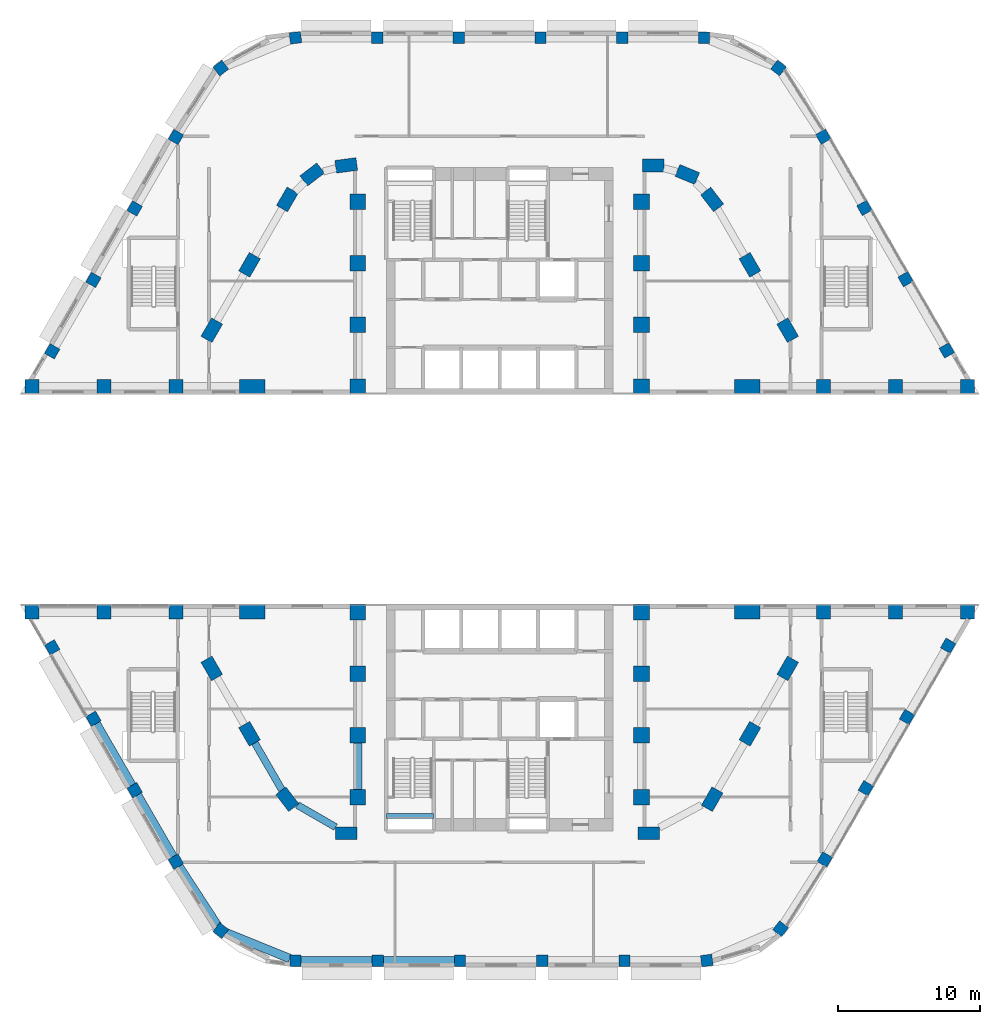
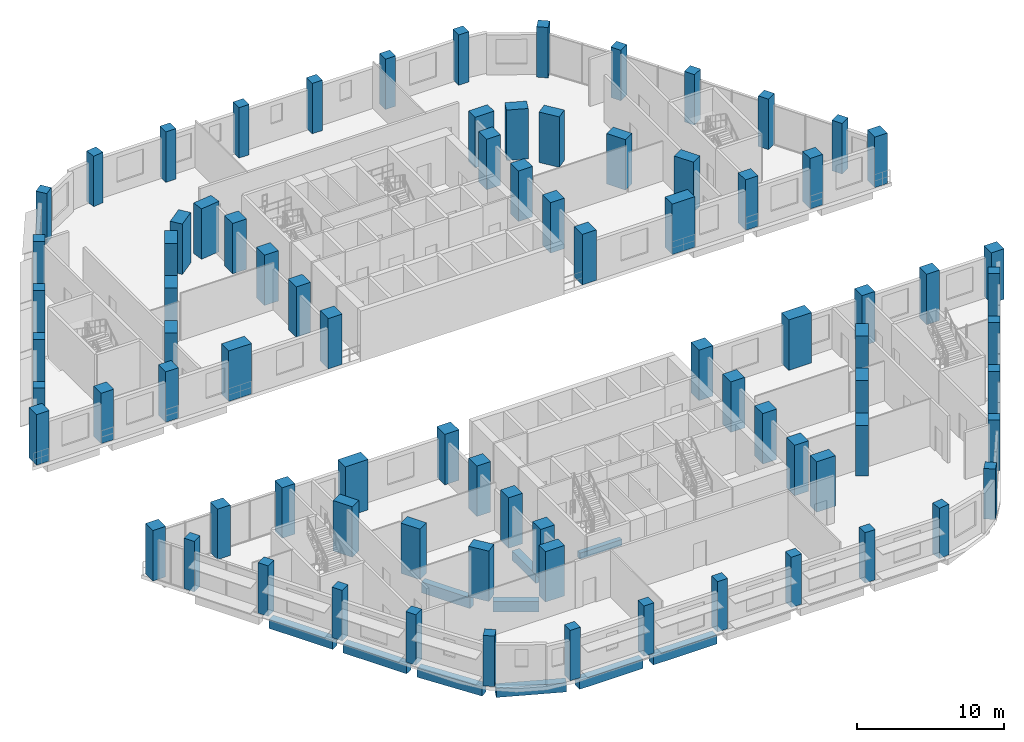
# One storey, part 1 of 22: 82 columns, 10 beams.
"""IFC4 building model written with IfcOpenShell, lengths in metres."""

import ifcopenshell
import ifcopenshell.guid

model = None  # the IFC model being written
_history = None  # IfcOwnerHistory: only IFC2X3 demands one
_inside = {}  # id of a spatial element -> (the spatial element, [elements in it])
_under = {}  # id of a project, library or spatial element -> (it, [spatial elements below it])
_declared = {}  # id of a project -> (the project, [libraries it declares])
_typed = {}  # id of a type object -> (the type object, [elements of that type])
_made_of = {}  # id of a material, layer set ... -> (it, [elements and type objects made of it])


def new_model(schema):
    """Start an empty IFC model of exactly this schema.

    Asked for "IFC4X3", IfcOpenShell would pick the latest addendum, in which some entities
    have other attributes; the version numbers below select the first issue.
    IFC2X3 requires an IfcOwnerHistory on every rooted entity: one is made here for all.
    """
    global model, _history
    if schema == "IFC4X3":
        model = ifcopenshell.file(schema_version=(4, 3, 0, 0))
    else:
        model = ifcopenshell.file(schema=schema)
    _inside.clear()
    _under.clear()
    _declared.clear()
    _typed.clear()
    _made_of.clear()
    _history = None
    if model.schema == "IFC2X3":
        org = make("IfcOrganization", Name="unknown")
        user = make(
            "IfcPersonAndOrganization",
            ThePerson=make("IfcPerson", FamilyName="unknown"),
            TheOrganization=org,
        )
        app = make(
            "IfcApplication",
            ApplicationDeveloper=org,
            Version="unknown",
            ApplicationFullName="unknown",
            ApplicationIdentifier="unknown",
        )
        _history = make(
            "IfcOwnerHistory",
            OwningUser=user,
            OwningApplication=app,
            ChangeAction="ADDED",
            CreationDate=0,
        )
    return model


def make(cls, **values):
    """One entity of the class cls with the attributes given. An attribute that is None is left unset."""
    return model.create_entity(
        cls, **{name: value for name, value in values.items() if value is not None}
    )


def rooted(cls, **values):
    """An entity with a GlobalId (a new one), such as an element, a storey or a relation."""
    return make(cls, GlobalId=ifcopenshell.guid.new(), OwnerHistory=_history, **values)


def si_unit(unit_type, name, prefix=None):
    """IfcSIUnit, for example si_unit("LENGTHUNIT", "METRE", prefix="MILLI")."""
    return make("IfcSIUnit", UnitType=unit_type, Prefix=prefix, Name=name)


def assignment(units):
    """IfcUnitAssignment: the units of a project."""
    return None if units is None else make("IfcUnitAssignment", Units=units)


def point(xyz):
    """IfcCartesianPoint."""
    return None if xyz is None else make("IfcCartesianPoint", Coordinates=xyz)


def direction(xyz):
    """IfcDirection."""
    return None if xyz is None else make("IfcDirection", DirectionRatios=xyz)


def frame(location, z_axis=None, x_axis=None):
    """IfcAxis2Placement3D, a coordinate frame: its origin and axes. An axis left out is left unset."""
    return make(
        "IfcAxis2Placement3D",
        Location=point(location),
        Axis=direction(z_axis),
        RefDirection=direction(x_axis),
    )


def frame_2d(location, x_axis=None):
    """IfcAxis2Placement2D, a coordinate frame in the plane: its origin and x axis."""
    return make(
        "IfcAxis2Placement2D", Location=point(location), RefDirection=direction(x_axis)
    )


def origin():
    """The frame at (0, 0, 0) with its axes left unset."""
    return frame((0.0, 0.0, 0.0))


def origin_2d():
    """The frame at (0, 0) in the plane with its x axis left unset."""
    return frame_2d((0.0, 0.0))


def place(relative_to, where):
    """IfcLocalPlacement: puts the frame where relative to a parent placement (None: the world)."""
    return make(
        "IfcLocalPlacement", PlacementRelTo=relative_to, RelativePlacement=where
    )


def context(
    kind, dimensions, precision=None, world=None, true_north=None, identifier=None
):
    """IfcGeometricRepresentationContext, for example the 3D "Model" context."""
    return make(
        "IfcGeometricRepresentationContext",
        ContextIdentifier=identifier,
        ContextType=kind,
        CoordinateSpaceDimension=dimensions,
        Precision=precision,
        WorldCoordinateSystem=world,
        TrueNorth=true_north,
    )


def subcontext(parent, identifier, kind, view, scale=None):
    """IfcGeometricRepresentationSubContext, for example "Body" below "Model"."""
    return make(
        "IfcGeometricRepresentationSubContext",
        ContextIdentifier=identifier,
        ContextType=kind,
        ParentContext=parent,
        TargetScale=scale,
        TargetView=view,
    )


def project(units=None, contexts=None):
    """IfcProject with its units and contexts."""
    return rooted(
        "IfcProject",
        Name="project",
        RepresentationContexts=contexts,
        UnitsInContext=assignment(units),
    )


def spatial(cls, under=None, at=None, **own):
    """A site, building, storey or space (cls), placed at a placement, below another one or the project."""
    s = rooted(cls, ObjectPlacement=at, **own)
    if under is not None:
        _under.setdefault(under.id(), (under, []))[1].append(s)
    return s


def profile(cls, at=None, kind="AREA", **sizes):
    """A parametric profile (cls). Its sizes go by their IFC names, for example OverallWidth=200.0."""
    return make(cls, ProfileType=kind, Position=at, **sizes)


def rectangle(**sizes):
    """IfcRectangleProfileDef."""
    return profile("IfcRectangleProfileDef", **sizes)


def extrude(swept, where, along, depth):
    """IfcExtrudedAreaSolid: the profile swept, set in the frame where, extruded along a direction by depth."""
    return make(
        "IfcExtrudedAreaSolid",
        SweptArea=swept,
        Position=where,
        ExtrudedDirection=direction(along),
        Depth=depth,
    )


def shape(context_of_items, identifier, shape_type, items):
    """IfcShapeRepresentation: the items that make up one representation, for example the "Body"."""
    return make(
        "IfcShapeRepresentation",
        ContextOfItems=context_of_items,
        RepresentationIdentifier=identifier,
        RepresentationType=shape_type,
        Items=items,
    )


def material(Name=None, Category=None):
    """IfcMaterial."""
    return make("IfcMaterial", Name=Name, Category=Category)


def material_profile(
    of_material, cross_section, Name=None, Category=None, Priority=None
):
    """IfcMaterialProfile: a cross section and its material."""
    return make(
        "IfcMaterialProfile",
        Name=Name,
        Material=of_material,
        Profile=cross_section,
        Priority=Priority,
        Category=Category,
    )


def profile_set(profiles, Name=None, composite=None):
    """IfcMaterialProfileSet."""
    return make(
        "IfcMaterialProfileSet",
        Name=Name,
        MaterialProfiles=profiles,
        CompositeProfile=composite,
    )


def made_of(thing, what):
    """Note that an element or type object is made of a material, layer set ...; save() writes the relation."""
    if what is not None:
        _made_of.setdefault(what.id(), (what, []))[1].append(thing)
    return thing


def type_object(cls, material=None, **own):
    """A type object (cls), such as IfcWallType, which elements share."""
    return made_of(rooted(cls, **own), material)


def element(
    cls,
    number,
    at=None,
    inside=None,
    cuts=None,
    type_object=None,
    material=None,
    context=None,
    identifier="Body",
    shape_type=None,
    held_by="IfcProductDefinitionShape",
    body=None,
    shapes=None,
    **own,
):
    """One element of the class cls, such as IfcWall. Its Tag is "e" and its number.

    at: its placement. inside: the storey or other place that contains it. cuts: it is an
    opening in that element (IfcRelVoidsElement). A single representation is given by context,
    identifier, shape_type and body (its items); several are given by shapes. held_by: the class
    of the entity that holds the representations. save() writes the other relations.
    """
    e = rooted(cls, Tag="e%d" % number, ObjectPlacement=at, **own)
    if body is not None:
        shapes = [shape(context, identifier, shape_type, body)]
    if shapes is not None:
        e.Representation = make(held_by, Representations=shapes)
    if inside is not None:
        _inside.setdefault(inside.id(), (inside, []))[1].append(e)
    if cuts is not None:
        rooted(
            "IfcRelVoidsElement", RelatingBuildingElement=cuts, RelatedOpeningElement=e
        )
    if type_object is not None:
        _typed.setdefault(type_object.id(), (type_object, []))[1].append(e)
    return made_of(e, material)


def aggregate(whole, parts):
    """IfcRelAggregates: a whole, such as a stair, and the parts it consists of."""
    return rooted("IfcRelAggregates", RelatingObject=whole, RelatedObjects=parts)


def save(model, path):
    """Write the relations noted so far, then the file.

    IfcRelAggregates (storeys below a building ...), IfcRelContainedInSpatialStructure (elements
    in a storey), IfcRelDefinesByType, IfcRelAssociatesMaterial and IfcRelDeclares: one each for
    every whole, place, type object, material and project.
    """
    for whole, parts in _under.values():
        aggregate(whole, parts)
    for where, things in _inside.values():
        rooted(
            "IfcRelContainedInSpatialStructure",
            RelatedElements=things,
            RelatingStructure=where,
        )
    for kind, things in _typed.values():
        rooted("IfcRelDefinesByType", RelatedObjects=things, RelatingType=kind)
    for what, things in _made_of.values():
        rooted("IfcRelAssociatesMaterial", RelatedObjects=things, RelatingMaterial=what)
    for by, libraries in _declared.values():
        rooted("IfcRelDeclares", RelatingContext=by, RelatedDefinitions=libraries)
    model.write(path)


model = new_model("IFC4")

# Units and contexts
model_context = context("Model", 3, precision=1e-05, world=origin(), true_north=direction((0.0, 1.0)))
body_context = subcontext(model_context, "Body", "Model", "MODEL_VIEW")
ifc_project = project(units=[si_unit("LENGTHUNIT", "METRE"), si_unit("AREAUNIT", "SQUARE_METRE"), si_unit("VOLUMEUNIT", "CUBIC_METRE"), si_unit("PLANEANGLEUNIT", "RADIAN"), si_unit("MASSUNIT", "GRAM", prefix="KILO")], contexts=[model_context])

# Site, building, storey
site_placement = place(None, origin())
site = spatial("IfcSite", under=ifc_project, at=site_placement, CompositionType="ELEMENT")
building_placement = place(site_placement, origin())
building = spatial("IfcBuilding", under=site, at=building_placement, Name="Nakaniwa Court", CompositionType="ELEMENT")
storey_placement = place(building_placement, frame((0.0, 0.0, 24.0)))
storey = spatial("IfcBuildingStorey", under=building, at=storey_placement, Name="L05", CompositionType="ELEMENT", Elevation=24.0)

# Columns
ifc_material_1 = material(Name="Concrete C100/115", Category="concrete")
ifc_material_profile_1 = material_profile(ifc_material_1, rectangle(XDim=1.0, YDim=1.0, at=origin_2d()), Name="Concrete C100/115 RC 1000x1000 portal edge column")
ifc_profile_set_1 = profile_set([ifc_material_profile_1], Name="Concrete C100/115")
column_type_1 = type_object("IfcColumnType", Name="Concrete C100/115 RC 1000x1000 portal edge column", PredefinedType="COLUMN", material=ifc_profile_set_1)
for number, where, z_axis, x_axis, name in (
    (1, (102.822998046875, 87.949951171875, 0.0), (0.0, 0.0, 1.0), (1.0, 0.0, 0.0), "COLUMN CP-03"),
    (2, (102.822998046875, 72.050048828125, 0.0), (0.0, 0.0, 1.0), (1.0, 0.0, 0.0), "COLUMN CP-04"),
    (3, (107.908935546875, 87.949951171875, 0.0), (0.0, 0.0, 1.0), (1.0, 0.0, 0.0), "COLUMN CP-05"),
    (4, (107.908935546875, 72.050048828125, 0.0), (0.0, 0.0, 1.0), (1.0, 0.0, 0.0), "COLUMN CP-06"),
    (5, (112.99609375, 87.949951171875, 0.0), (0.0, 0.0, 1.0), (1.0, 0.0, 0.0), "COLUMN CP-07"),
    (6, (112.99609375, 72.050048828125, 0.0), (0.0, 0.0, 1.0), (1.0, 0.0, 0.0), "COLUMN CP-08"),
    (7, (57.177001953125, 87.949951171875, 0.0), (0.0, 0.0, 1.0), (1.0, 0.0, 0.0), "COLUMN CP-11"),
    (8, (57.177001953125, 72.050048828125, 0.0), (0.0, 0.0, 1.0), (1.0, 0.0, 0.0), "COLUMN CP-12"),
    (9, (52.091064453125, 87.949951171875, 0.0), (0.0, 0.0, 1.0), (1.0, 0.0, 0.0), "COLUMN CP-13"),
    (10, (52.091064453125, 72.050048828125, 0.0), (0.0, 0.0, 1.0), (1.0, 0.0, 0.0), "COLUMN CP-14"),
    (11, (47.00390625, 87.949951171875, 0.0), (0.0, 0.0, 1.0), (1.0, 0.0, 0.0), "COLUMN CP-15"),
    (12, (47.00390625, 72.050048828125, 0.0), (0.0, 0.0, 1.0), (1.0, 0.0, 0.0), "COLUMN CP-16"),
):
    element("IfcColumn", number, at=place(storey_placement, frame(where, z_axis=z_axis, x_axis=x_axis)), inside=storey, type_object=column_type_1, Name=name, PredefinedType="COLUMN", context=body_context, shape_type="SweptSolid", body=[
        extrude(rectangle(XDim=1.0, YDim=1.0, at=origin_2d()), origin(), (0.0, 0.0, 1.0), 4.199951171875),
    ])
ifc_material_profile_2 = material_profile(ifc_material_1, rectangle(XDim=1.10009765625, YDim=1.10009765625, at=origin_2d()), Name="Concrete C100/115 RC 1100x1100 spine column")
ifc_profile_set_2 = profile_set([ifc_material_profile_2], Name="Concrete C100/115")
column_type_2 = type_object("IfcColumnType", Name="Concrete C100/115 RC 1100x1100 spine column", PredefinedType="COLUMN", material=ifc_profile_set_2)
for number, where, z_axis, x_axis, name in (
    (13, (90.0, 59.0, 0.0), (0.0, 0.0, 1.0), (0.0, 1.0, 0.0), "COLUMN CS-01"),
    (14, (90.0, 63.35009765625, 0.0), (0.0, 0.0, 1.0), (0.0, 1.0, 0.0), "COLUMN CS-02"),
    (15, (90.0, 67.699951171875, 0.0), (0.0, 0.0, 1.0), (0.0, 1.0, 0.0), "COLUMN CS-03"),
    (16, (90.0, 72.050048828125, 0.0), (0.0, 0.0, 1.0), (0.0, 1.0, 0.0), "COLUMN CS-04"),
    (17, (90.0, 87.949951171875, 0.0), (0.0, 0.0, 1.0), (0.0, 1.0, 0.0), "COLUMN CS-07"),
    (18, (90.0, 92.300048828125, 0.0), (0.0, 0.0, 1.0), (0.0, 1.0, 0.0), "COLUMN CS-08"),
    (19, (90.0, 96.64990234375, 0.0), (0.0, 0.0, 1.0), (0.0, 1.0, 0.0), "COLUMN CS-09"),
    (20, (90.0, 101.0, 0.0), (0.0, 0.0, 1.0), (0.0, 1.0, 0.0), "COLUMN CS-10"),
    (21, (70.0, 101.0, 0.0), (0.0, 0.0, 1.0), (0.0, -1.0, 0.0), "COLUMN CS-11"),
    (22, (70.0, 96.64990234375, 0.0), (0.0, 0.0, 1.0), (0.0, -1.0, 0.0), "COLUMN CS-12"),
    (23, (70.0, 92.300048828125, 0.0), (0.0, 0.0, 1.0), (0.0, -1.0, 0.0), "COLUMN CS-13"),
    (24, (70.0, 87.949951171875, 0.0), (0.0, 0.0, 1.0), (0.0, -1.0, 0.0), "COLUMN CS-14"),
    (25, (70.0, 72.050048828125, 0.0), (0.0, 0.0, 1.0), (0.0, -1.0, 0.0), "COLUMN CS-17"),
    (26, (70.0, 67.699951171875, 0.0), (0.0, 0.0, 1.0), (0.0, -1.0, 0.0), "COLUMN CS-18"),
    (27, (70.0, 63.35009765625, 0.0), (0.0, 0.0, 1.0), (0.0, -1.0, 0.0), "COLUMN CS-19"),
    (28, (70.0, 59.0, 0.0), (0.0, 0.0, 1.0), (0.0, -1.0, 0.0), "COLUMN CS-20"),
):
    element("IfcColumn", number, at=place(storey_placement, frame(where, z_axis=z_axis, x_axis=x_axis)), inside=storey, type_object=column_type_2, Name=name, PredefinedType="COLUMN", context=body_context, shape_type="SweptSolid", body=[
        extrude(rectangle(XDim=1.10009765625, YDim=1.10009765625, at=origin_2d()), origin(), (0.0, 0.0, 1.0), 4.199951171875),
    ])
ifc_material_profile_3 = material_profile(ifc_material_1, rectangle(XDim=1.5, YDim=0.89990234375, at=origin_2d()), Name="Concrete C100/115 RC 1500x900 perimeter column")
ifc_profile_set_3 = profile_set([ifc_material_profile_3], Name="Concrete C100/115")
column_type_3 = type_object("IfcColumnType", Name="Concrete C100/115 RC 1500x900 perimeter column", PredefinedType="COLUMN", material=ifc_profile_set_3)
for number, where, z_axis, x_axis, name in (
    (29, (69.17529296875, 103.550048828125, 0.0), (0.0, 0.0, 1.0), (-0.991442583111, -0.130543496177, 0.0), "COLUMN CO-01"),
    (30, (66.772705078125, 102.91015625, 0.0), (0.0, 0.0, 1.0), (-0.793363965062, -0.608747582288, 0.0), "COLUMN CO-02"),
    (31, (65.017578125, 101.1494140625, 0.0), (0.0, 0.0, 1.0), (-0.5, -0.866025403784, 0.0), "COLUMN CO-03"),
    (32, (62.3544921875, 96.537109375, 0.0), (0.0, 0.0, 1.0), (-0.5, -0.866025403784, 0.0), "COLUMN CO-04"),
    (33, (59.691650390625, 91.9248046875, 0.0), (0.0, 0.0, 1.0), (-0.5, -0.866025403784, 0.0), "COLUMN CO-05"),
    (34, (59.691650390625, 68.0751953125, 0.0), (0.0, 0.0, 1.0), (0.5, -0.866025403784, 0.0), "COLUMN CO-14"),
    (35, (62.3544921875, 63.462890625, 0.0), (0.0, 0.0, 1.0), (0.5, -0.866025403784, 0.0), "COLUMN CO-15"),
    (36, (65.017578125, 58.8505859375, 0.0), (0.0, 0.0, 1.0), (0.608761429009, -0.793353340291, 0.0), "COLUMN CO-16"),
    (37, (69.17529296875, 56.449951171875, 0.0), (0.0, 0.0, 1.0), (1.0, 0.0, 0.0), "COLUMN CO-17"),
    (38, (90.507080078125, 56.449951171875, 0.0), (0.0, 0.0, 1.0), (1.0, 0.0, 0.0), "COLUMN CO-21"),
    (39, (94.982421875, 58.8505859375, 0.0), (0.0, 0.0, 1.0), (0.5, 0.866025403784, 0.0), "COLUMN CO-22"),
    (40, (97.6455078125, 63.462890625, 0.0), (0.0, 0.0, 1.0), (0.5, 0.866025403784, 0.0), "COLUMN CO-23"),
    (41, (100.308349609375, 68.0751953125, 0.0), (0.0, 0.0, 1.0), (0.5, 0.866025403784, 0.0), "COLUMN CO-24"),
    (42, (100.308349609375, 91.9248046875, 0.0), (0.0, 0.0, 1.0), (-0.5, 0.866025403784, 0.0), "COLUMN CO-33"),
    (43, (97.6455078125, 96.537109375, 0.0), (0.0, 0.0, 1.0), (-0.5, 0.866025403784, 0.0), "COLUMN CO-34"),
    (44, (94.982421875, 101.1494140625, 0.0), (0.0, 0.0, 1.0), (-0.608761429009, 0.793353340291, 0.0), "COLUMN CO-35"),
    (45, (93.227294921875, 102.91015625, 0.0), (0.0, 0.0, 1.0), (-0.923879532511, 0.382683432365, 0.0), "COLUMN CO-36"),
    (46, (90.82470703125, 103.550048828125, 0.0), (0.0, 0.0, 1.0), (-1.0, 0.0, 0.0), "COLUMN CO-37"),
):
    element("IfcColumn", number, at=place(storey_placement, frame(where, z_axis=z_axis, x_axis=x_axis)), inside=storey, type_object=column_type_3, Name=name, PredefinedType="COLUMN", context=body_context, shape_type="SweptSolid", body=[
        extrude(rectangle(XDim=1.5, YDim=0.89990234375, at=origin_2d()), origin(), (0.0, 0.0, 1.0), 4.199951171875),
    ])
ifc_material_profile_4 = material_profile(ifc_material_1, rectangle(XDim=1.800048828125, YDim=1.0, at=origin_2d()), Name="Concrete C100/115 RC 1800x1000 portal edge column")
ifc_profile_set_4 = profile_set([ifc_material_profile_4], Name="Concrete C100/115")
column_type_4 = type_object("IfcColumnType", Name="Concrete C100/115 RC 1800x1000 portal edge column", PredefinedType="COLUMN", material=ifc_profile_set_4)
for number, where, z_axis, x_axis, name in (
    (47, (97.4580078125, 87.949951171875, 0.0), (0.0, 0.0, 1.0), (1.0, 0.0, 0.0), "COLUMN CP-01"),
    (48, (97.4580078125, 72.050048828125, 0.0), (0.0, 0.0, 1.0), (1.0, 0.0, 0.0), "COLUMN CP-02"),
    (49, (62.5419921875, 87.949951171875, 0.0), (0.0, 0.0, 1.0), (1.0, 0.0, 0.0), "COLUMN CP-09"),
    (50, (62.5419921875, 72.050048828125, 0.0), (0.0, 0.0, 1.0), (1.0, 0.0, 0.0), "COLUMN CP-10"),
):
    element("IfcColumn", number, at=place(storey_placement, frame(where, z_axis=z_axis, x_axis=x_axis)), inside=storey, type_object=column_type_4, Name=name, PredefinedType="COLUMN", context=body_context, shape_type="SweptSolid", body=[
        extrude(rectangle(XDim=1.800048828125, YDim=1.0, at=origin_2d()), origin(), (0.0, 0.0, 1.0), 4.199951171875),
    ])
ifc_material_profile_5 = material_profile(ifc_material_1, rectangle(XDim=0.800048828125, YDim=0.800048828125, at=origin_2d()), Name="Concrete C100/115 RC 800x800 podium skirt column")
ifc_profile_set_5 = profile_set([ifc_material_profile_5], Name="Concrete C100/115")
column_type_5 = type_object("IfcColumnType", Name="Concrete C100/115 RC 800x800 podium skirt column", PredefinedType="COLUMN", material=ifc_profile_set_5)
for number, where, z_axis, x_axis, name in (
    (51, (65.595703125, 112.550048828125, 0.0), (0.0, 0.0, 1.0), (-0.991444861374, -0.13052619222, 0.0), "COLUMN CK-01"),
    (52, (60.32763671875, 110.41064453125, 0.0), (0.0, 0.0, 1.0), (-0.793353340291, -0.608761429009, 0.0), "COLUMN CK-02"),
    (53, (57.165771484375, 105.550048828125, 0.0), (0.0, 0.0, 1.0), (-0.5, -0.866025403784, 0.0), "COLUMN CK-03"),
    (54, (54.25732421875, 100.5126953125, 0.0), (0.0, 0.0, 1.0), (-0.5, -0.866025403784, 0.0), "COLUMN CK-04"),
    (55, (51.34912109375, 95.47509765625, 0.0), (0.0, 0.0, 1.0), (-0.5, -0.866025403784, 0.0), "COLUMN CK-05"),
    (56, (48.440673828125, 90.437744140625, 0.0), (0.0, 0.0, 1.0), (-0.5, -0.866025403784, 0.0), "COLUMN CK-06"),
    (57, (48.440673828125, 69.562255859375, 0.0), (0.0, 0.0, 1.0), (0.5, -0.866025403784, 0.0), "COLUMN CK-10"),
    (58, (51.34912109375, 64.52490234375, 0.0), (0.0, 0.0, 1.0), (0.5, -0.866025403784, 0.0), "COLUMN CK-11"),
    (59, (54.25732421875, 59.4873046875, 0.0), (0.0, 0.0, 1.0), (0.5, -0.866025403784, 0.0), "COLUMN CK-12"),
    (60, (57.165771484375, 54.449951171875, 0.0), (0.0, 0.0, 1.0), (0.5, -0.866025403784, 0.0), "COLUMN CK-13"),
    (61, (60.32763671875, 49.58935546875, 0.0), (0.0, 0.0, 1.0), (0.793353340291, -0.608761429009, 0.0), "COLUMN CK-14"),
    (62, (65.595703125, 47.449951171875, 0.0), (0.0, 0.0, 1.0), (1.0, 0.0, 0.0), "COLUMN CK-15"),
    (63, (71.39794921875, 47.449951171875, 0.0), (0.0, 0.0, 1.0), (1.0, 0.0, 0.0), "COLUMN CK-16"),
    (64, (77.2001953125, 47.449951171875, 0.0), (0.0, 0.0, 1.0), (1.0, 0.0, 0.0), "COLUMN CK-17"),
    (65, (83.00244140625, 47.449951171875, 0.0), (0.0, 0.0, 1.0), (1.0, 0.0, 0.0), "COLUMN CK-18"),
    (66, (88.8046875, 47.449951171875, 0.0), (0.0, 0.0, 1.0), (1.0, 0.0, 0.0), "COLUMN CK-19"),
    (67, (94.605224609375, 47.4765625, 0.0), (0.0, 0.0, 1.0), (0.991444861374, 0.13052619222, 0.0), "COLUMN CK-20"),
    (68, (99.8095703125, 49.716064453125, 0.0), (0.0, 0.0, 1.0), (0.608761429009, 0.793353340291, 0.0), "COLUMN CK-21"),
    (69, (102.921142578125, 54.600341796875, 0.0), (0.0, 0.0, 1.0), (0.5, 0.866025403784, 0.0), "COLUMN CK-22"),
    (70, (105.822265625, 59.62548828125, 0.0), (0.0, 0.0, 1.0), (0.5, 0.866025403784, 0.0), "COLUMN CK-23"),
    (71, (108.723388671875, 64.650390625, 0.0), (0.0, 0.0, 1.0), (0.5, 0.866025403784, 0.0), "COLUMN CK-24"),
    (72, (111.62451171875, 69.67529296875, 0.0), (0.0, 0.0, 1.0), (0.5, 0.866025403784, 0.0), "COLUMN CK-25"),
    (73, (111.523193359375, 90.50048828125, 0.0), (0.0, 0.0, 1.0), (-0.5, 0.866025403784, 0.0), "COLUMN CK-29"),
    (74, (108.6220703125, 95.525390625, 0.0), (0.0, 0.0, 1.0), (-0.5, 0.866025403784, 0.0), "COLUMN CK-30"),
    (75, (105.720703125, 100.55029296875, 0.0), (0.0, 0.0, 1.0), (-0.5, 0.866025403784, 0.0), "COLUMN CK-31"),
    (76, (102.819580078125, 105.5751953125, 0.0), (0.0, 0.0, 1.0), (-0.5, 0.866025403784, 0.0), "COLUMN CK-32"),
    (77, (99.660888671875, 110.41943359375, 0.0), (0.0, 0.0, 1.0), (-0.793353340291, 0.608761429009, 0.0), "COLUMN CK-33"),
    (78, (94.404296875, 112.550048828125, 0.0), (0.0, 0.0, 1.0), (-1.0, 0.0, 0.0), "COLUMN CK-34"),
    (79, (88.642578125, 112.550048828125, 0.0), (0.0, 0.0, 1.0), (-1.0, 0.0, 0.0), "COLUMN CK-35"),
    (80, (82.880859375, 112.550048828125, 0.0), (0.0, 0.0, 1.0), (-1.0, 0.0, 0.0), "COLUMN CK-36"),
    (81, (77.119140625, 112.550048828125, 0.0), (0.0, 0.0, 1.0), (-1.0, 0.0, 0.0), "COLUMN CK-37"),
    (82, (71.357421875, 112.550048828125, 0.0), (0.0, 0.0, 1.0), (-1.0, 0.0, 0.0), "COLUMN CK-38"),
):
    element("IfcColumn", number, at=place(storey_placement, frame(where, z_axis=z_axis, x_axis=x_axis)), inside=storey, type_object=column_type_5, Name=name, PredefinedType="COLUMN", context=body_context, shape_type="SweptSolid", body=[
        extrude(rectangle(XDim=0.800048828125, YDim=0.800048828125, at=origin_2d()), origin(), (0.0, 0.0, 1.0), 4.199951171875),
    ])

# Beams
ifc_material_profile_6 = material_profile(ifc_material_1, rectangle(XDim=0.5, YDim=0.89990234375, at=origin_2d()), Name="Concrete C100/115 RC 500x900 spandrel beam")
ifc_profile_set_6 = profile_set([ifc_material_profile_6], Name="Concrete C100/115")
beam_type_1 = type_object("IfcBeamType", Name="Concrete C100/115 RC 500x900 spandrel beam", PredefinedType="BEAM", material=ifc_profile_set_6)
beam_1_placement = place(storey_placement, frame((62.7294921875, 62.8134765625, -0.75), z_axis=(0.500023067617, -0.86601208528, 0.0), x_axis=(0.86601208528, 0.500023067617, 0.0)))
element("IfcBeam", 83, at=beam_1_placement, inside=storey, type_object=beam_type_1, Name="SPANDREL BEAM", PredefinedType="BEAM", context=body_context, shape_type="SweptSolid", body=[
    extrude(rectangle(XDim=0.5, YDim=0.89990234375, at=origin_2d()), origin(), (0.0, 0.0, 1.0), 3.819580078125),
])
beam_2_placement = place(storey_placement, frame((65.720458984375, 58.444580078125, -0.75), z_axis=(0.866041096587, -0.499972818284, 0.0), x_axis=(0.499972818284, 0.866041096587, 0.0)))
element("IfcBeam", 84, at=beam_2_placement, inside=storey, type_object=beam_type_1, Name="SPANDREL BEAM", PredefinedType="BEAM", context=body_context, shape_type="SweptSolid", body=[
    extrude(rectangle(XDim=0.5, YDim=0.89990234375, at=origin_2d()), origin(), (0.0, 0.0, 1.0), 3.123291015625),
])
ifc_material_profile_7 = material_profile(ifc_material_1, rectangle(XDim=0.60009765625, YDim=0.75, at=origin_2d()), Name="Concrete C100/115 RC 600x750 ring beam")
ifc_profile_set_7 = profile_set([ifc_material_profile_7], Name="Concrete C100/115")
beam_type_2 = type_object("IfcBeamType", Name="Concrete C100/115 RC 600x750 ring beam", PredefinedType="BEAM", material=ifc_profile_set_7)
beam_3_placement = place(storey_placement, frame((70.0, 62.800048828125, -0.675048828125), z_axis=(0.0, -1.0, 0.0), x_axis=(1.0, 0.0, 0.0)))
element("IfcBeam", 85, at=beam_3_placement, inside=storey, type_object=beam_type_2, Name="RING BEAM", PredefinedType="BEAM", context=body_context, shape_type="SweptSolid", body=[
    extrude(rectangle(XDim=0.60009765625, YDim=0.75, at=origin_2d()), origin(), (0.0, 0.0, 1.0), 3.25),
])
for number, where, z_axis, x_axis, name in (
    (86, (51.549072265625, 64.178466796875, -0.675048828125), (0.499980823911, -0.866036474822, 0.0), (0.866036474822, 0.499980823911, 0.0), "RING BEAM"),
    (87, (54.45751953125, 59.14111328125, -0.675048828125), (0.499980823911, -0.866036474822, 0.0), (0.866036474822, 0.499980823911, 0.0), "RING BEAM"),
):
    element("IfcBeam", number, at=place(storey_placement, frame(where, z_axis=z_axis, x_axis=x_axis)), inside=storey, type_object=beam_type_2, Name=name, PredefinedType="BEAM", context=body_context, shape_type="SweptSolid", body=[
        extrude(rectangle(XDim=0.60009765625, YDim=0.75, at=origin_2d()), origin(), (0.0, 0.0, 1.0), 5.016845703125),
    ])
beam_4_placement = place(storey_placement, frame((57.38427734375, 54.114013671875, -0.675048828125), z_axis=(0.545297150408, -0.838242815512, 0.0), x_axis=(0.838242815512, 0.545297150408, 0.0)))
element("IfcBeam", 88, at=beam_4_placement, inside=storey, type_object=beam_type_2, Name="RING BEAM", PredefinedType="BEAM", context=body_context, shape_type="SweptSolid", body=[
    extrude(rectangle(XDim=0.60009765625, YDim=0.75, at=origin_2d()), origin(), (0.0, 0.0, 1.0), 4.9736328125),
])
beam_5_placement = place(storey_placement, frame((60.712158203125, 49.43310546875, -0.675048828125), z_axis=(0.926515496979, -0.376256606397, 0.0), x_axis=(0.376256606397, 0.926515496979, 0.0)))
element("IfcBeam", 89, at=beam_5_placement, inside=storey, type_object=beam_type_2, Name="RING BEAM", PredefinedType="BEAM", context=body_context, shape_type="SweptSolid", body=[
    extrude(rectangle(XDim=0.60009765625, YDim=0.75, at=origin_2d()), origin(), (0.0, 0.0, 1.0), 4.83935546875),
])
beam_6_placement = place(storey_placement, frame((65.99560546875, 47.449951171875, -0.675048828125), z_axis=(1.0, 0.0, 0.0), x_axis=(0.0, 1.0, 0.0)))
element("IfcBeam", 90, at=beam_6_placement, inside=storey, type_object=beam_type_2, Name="RING BEAM", PredefinedType="BEAM", context=body_context, shape_type="SweptSolid", body=[
    extrude(rectangle(XDim=0.60009765625, YDim=0.75, at=origin_2d()), origin(), (0.0, 0.0, 1.0), 5.00244140625),
])
beam_7_placement = place(storey_placement, frame((71.798095703125, 47.449951171875, -0.675048828125), z_axis=(1.0, 0.0, 0.0), x_axis=(0.0, 1.0, 0.0)))
element("IfcBeam", 91, at=beam_7_placement, inside=storey, type_object=beam_type_2, Name="RING BEAM", PredefinedType="BEAM", context=body_context, shape_type="SweptSolid", body=[
    extrude(rectangle(XDim=0.60009765625, YDim=0.75, at=origin_2d()), origin(), (0.0, 0.0, 1.0), 5.002197265625),
])
ifc_material_2 = material(Name="Concrete C80/100", Category="concrete")
ifc_material_profile_8 = material_profile(ifc_material_2, rectangle(XDim=0.35009765625, YDim=0.5, at=origin_2d()), Name="Concrete C80/100 RC 350x500 landing ledge beam")
ifc_profile_set_8 = profile_set([ifc_material_profile_8], Name="Concrete C80/100")
beam_type_3 = type_object("IfcBeamType", Name="Concrete C80/100 RC 350x500 landing ledge beam", PredefinedType="BEAM", material=ifc_profile_set_8)
beam_8_placement = place(storey_placement, frame((72.02490234375, 57.675048828125, 1.64990234375), z_axis=(1.0, 0.0, 0.0), x_axis=(0.0, 1.0, 0.0)))
element("IfcBeam", 92, at=beam_8_placement, inside=storey, type_object=beam_type_3, Name="LANDING LEDGE BEAM", PredefinedType="BEAM", context=body_context, shape_type="SweptSolid", body=[
    extrude(rectangle(XDim=0.35009765625, YDim=0.5, at=origin_2d()), origin(), (0.0, 0.0, 1.0), 3.300048828125),
])

save(model, "model.ifc")
